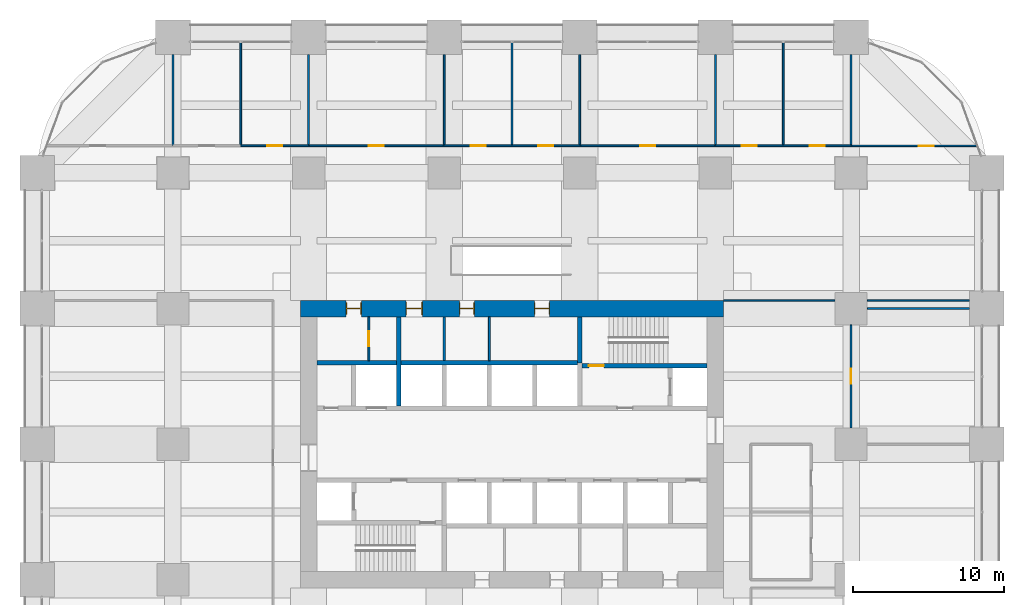
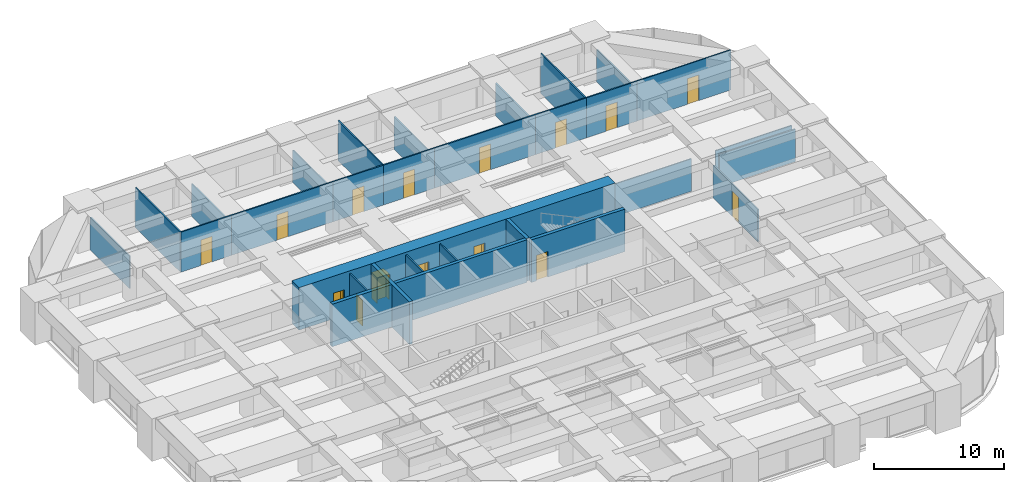
# One storey, part 41 of 44: 29 walls, 15 doors, 15 openings.
"""IFC4 building model written with IfcOpenShell, lengths in metres."""

from ifc_helpers import new_model, si_unit, direction, frame, frame_2d, origin, place, context, subcontext, project, spatial, rectangle, extrude, material, layer, layer_set, type_object, element, fill, save


model = new_model("IFC4")

# Units and contexts
model_context = context("Model", 3, precision=1e-05, world=origin(), true_north=direction((0.0, 1.0)))
body_context = subcontext(model_context, "Body", "Model", "MODEL_VIEW")
ifc_project = project(units=[si_unit("LENGTHUNIT", "METRE"), si_unit("AREAUNIT", "SQUARE_METRE"), si_unit("VOLUMEUNIT", "CUBIC_METRE"), si_unit("PLANEANGLEUNIT", "RADIAN"), si_unit("MASSUNIT", "GRAM", prefix="KILO")], contexts=[model_context])

# Site, building, storey
site_placement = place(None, origin())
site = spatial("IfcSite", under=ifc_project, at=site_placement, CompositionType="ELEMENT")
building_placement = place(site_placement, origin())
building = spatial("IfcBuilding", under=site, at=building_placement, Name="Zorevar Civic Tower", CompositionType="ELEMENT")
storey_placement = place(building_placement, frame((0.0, 0.0, 63.800048828125)))
storey = spatial("IfcBuildingStorey", under=building, at=storey_placement, Name="L15", CompositionType="ELEMENT", Elevation=63.800048828125)

# Wall, openings, doors
ifc_material_1 = material(Name="Concrete C50/60", Category="concrete")
ifc_layer_1 = layer(ifc_material_1, 1.10009765625)
ifc_layer_set_1 = layer_set([ifc_layer_1], Name="Core wall 1100")
wall_type_1 = type_object("IfcWallType", Name="Core wall 1100", PredefinedType="SHEAR", material=ifc_layer_set_1)
wall_1_placement = place(storey_placement, frame((45.550048828125, 36.0, 0.0), z_axis=(0.0, 0.0, 1.0), x_axis=(-1.0, 0.0, 0.0)))
wall_1 = element("IfcWall", 1, at=wall_1_placement, inside=storey, type_object=wall_type_1, Name="Core wall N L15", PredefinedType="SHEAR", context=body_context, shape_type="SweptSolid", body=[
    extrude(rectangle(XDim=28.10009765625, YDim=1.10009765625, at=frame_2d((14.050048828125, 0.0))), origin(), (0.0, 0.0, 1.0), 4.0),
])
opening_1_placement = place(wall_1_placement, frame((11.550048828125, 0.0, 0.0)))
opening_1 = element("IfcOpeningElement", 2, at=opening_1_placement, cuts=wall_1, Name="Opening L15.07", PredefinedType="OPENING", context=body_context, shape_type="SweptSolid", body=[
    extrude(rectangle(XDim=1.0, YDim=2.39990234375, at=frame_2d((0.5, 1.199951171875))), frame((0.0, 0.56005859375, 0.0), z_axis=(0.0, -1.0, 0.0), x_axis=(1.0, 0.0, 0.0)), (0.0, 0.0, 1.0), 1.1201171875),
])
opening_2_placement = place(wall_1_placement, frame((16.550048828125, 0.0, 0.0)))
opening_2 = element("IfcOpeningElement", 3, at=opening_2_placement, cuts=wall_1, Name="Opening L15.08", PredefinedType="OPENING", context=body_context, shape_type="SweptSolid", body=[
    extrude(rectangle(XDim=1.0, YDim=2.39990234375, at=frame_2d((0.5, 1.199951171875))), frame((0.0, 0.56005859375, 0.0), z_axis=(0.0, -1.0, 0.0), x_axis=(1.0, 0.0, 0.0)), (0.0, 0.0, 1.0), 1.1201171875),
])
opening_3_placement = place(wall_1_placement, frame((20.0, 0.0, 0.0)))
opening_3 = element("IfcOpeningElement", 4, at=opening_3_placement, cuts=wall_1, Name="Opening L15.09", PredefinedType="OPENING", context=body_context, shape_type="SweptSolid", body=[
    extrude(rectangle(XDim=1.10009765625, YDim=2.39990234375, at=frame_2d((0.550048828125, 1.199951171875))), frame((0.0, 0.56005859375, 0.0), z_axis=(0.0, -1.0, 0.0), x_axis=(1.0, 0.0, 0.0)), (0.0, 0.0, 1.0), 1.1201171875),
])
opening_4_placement = place(wall_1_placement, frame((24.050048828125, 0.0, 0.0)))
opening_4 = element("IfcOpeningElement", 5, at=opening_4_placement, cuts=wall_1, Name="Opening L15.10", PredefinedType="OPENING", context=body_context, shape_type="SweptSolid", body=[
    extrude(rectangle(XDim=1.0, YDim=2.39990234375, at=frame_2d((0.5, 1.199951171875))), frame((0.0, 0.56005859375, 0.0), z_axis=(0.0, -1.0, 0.0), x_axis=(1.0, 0.0, 0.0)), (0.0, 0.0, 1.0), 1.1201171875),
])
ifc_material_2 = material(Name="Timber door set", Category="wood")
door_type_1 = type_object("IfcDoorType", Name="Door D1 1000x2400", OperationType="SINGLE_SWING_LEFT", PredefinedType="DOOR", material=ifc_material_2)
door_1_placement = place(opening_1_placement, origin())
door_1 = element("IfcDoor", 6, at=door_1_placement, inside=storey, type_object=door_type_1, Name="Door L15 06", OperationType="SINGLE_SWING_RIGHT", OverallHeight=2.39990234375, OverallWidth=1.0, PredefinedType="DOOR", context=body_context, shape_type="SweptSolid", body=[
    extrude(rectangle(XDim=1.0, YDim=2.39990234375, at=frame_2d((0.5, 1.199951171875))), frame((0.0, 0.02490234375, 0.0), z_axis=(0.0, -1.0, 0.0), x_axis=(1.0, 0.0, 0.0)), (0.0, 0.0, 1.0), 0.050048828125),
    extrude(rectangle(XDim=0.04, YDim=2.39990234375, at=frame_2d((0.02001953125, 1.199951171875))), frame((0.0, 0.39990234375, 0.0), z_axis=(0.0, -1.0, 0.0), x_axis=(1.0, 0.0, 0.0)), (0.0, 0.0, 1.0), 0.800048828125),
    extrude(rectangle(XDim=0.04, YDim=2.39990234375, at=frame_2d((0.97998046875, 1.199951171875))), frame((0.0, 0.39990234375, 0.0), z_axis=(0.0, -1.0, 0.0), x_axis=(1.0, 0.0, 0.0)), (0.0, 0.0, 1.0), 0.800048828125),
    extrude(rectangle(XDim=1.0, YDim=0.04, at=frame_2d((0.5, 2.3798828125))), frame((0.0, 0.39990234375, 0.0), z_axis=(0.0, -1.0, 0.0), x_axis=(1.0, 0.0, 0.0)), (0.0, 0.0, 1.0), 0.800048828125),
])
fill(opening_1, door_1)
door_2_placement = place(opening_2_placement, origin())
door_2 = element("IfcDoor", 7, at=door_2_placement, inside=storey, type_object=door_type_1, Name="Door L15 07", OperationType="SINGLE_SWING_LEFT", OverallHeight=2.39990234375, OverallWidth=1.0, PredefinedType="DOOR", context=body_context, shape_type="SweptSolid", body=[
    extrude(rectangle(XDim=1.0, YDim=2.39990234375, at=frame_2d((0.5, 1.199951171875))), frame((0.0, 0.02490234375, 0.0), z_axis=(0.0, -1.0, 0.0), x_axis=(1.0, 0.0, 0.0)), (0.0, 0.0, 1.0), 0.050048828125),
    extrude(rectangle(XDim=0.04, YDim=2.39990234375, at=frame_2d((0.02001953125, 1.199951171875))), frame((0.0, 0.39990234375, 0.0), z_axis=(0.0, -1.0, 0.0), x_axis=(1.0, 0.0, 0.0)), (0.0, 0.0, 1.0), 0.800048828125),
    extrude(rectangle(XDim=0.04, YDim=2.39990234375, at=frame_2d((0.97998046875, 1.199951171875))), frame((0.0, 0.39990234375, 0.0), z_axis=(0.0, -1.0, 0.0), x_axis=(1.0, 0.0, 0.0)), (0.0, 0.0, 1.0), 0.800048828125),
    extrude(rectangle(XDim=1.0, YDim=0.04, at=frame_2d((0.5, 2.3798828125))), frame((0.0, 0.39990234375, 0.0), z_axis=(0.0, -1.0, 0.0), x_axis=(1.0, 0.0, 0.0)), (0.0, 0.0, 1.0), 0.800048828125),
])
fill(opening_2, door_2)
door_3_placement = place(opening_4_placement, origin())
door_3 = element("IfcDoor", 8, at=door_3_placement, inside=storey, type_object=door_type_1, Name="Door L15 09", OperationType="SINGLE_SWING_LEFT", OverallHeight=2.39990234375, OverallWidth=1.0, PredefinedType="DOOR", context=body_context, shape_type="SweptSolid", body=[
    extrude(rectangle(XDim=1.0, YDim=2.39990234375, at=frame_2d((0.5, 1.199951171875))), frame((0.0, 0.02490234375, 0.0), z_axis=(0.0, -1.0, 0.0), x_axis=(1.0, 0.0, 0.0)), (0.0, 0.0, 1.0), 0.050048828125),
    extrude(rectangle(XDim=0.04, YDim=2.39990234375, at=frame_2d((0.02001953125, 1.199951171875))), frame((0.0, 0.39990234375, 0.0), z_axis=(0.0, -1.0, 0.0), x_axis=(1.0, 0.0, 0.0)), (0.0, 0.0, 1.0), 0.800048828125),
    extrude(rectangle(XDim=0.04, YDim=2.39990234375, at=frame_2d((0.97998046875, 1.199951171875))), frame((0.0, 0.39990234375, 0.0), z_axis=(0.0, -1.0, 0.0), x_axis=(1.0, 0.0, 0.0)), (0.0, 0.0, 1.0), 0.800048828125),
    extrude(rectangle(XDim=1.0, YDim=0.04, at=frame_2d((0.5, 2.3798828125))), frame((0.0, 0.39990234375, 0.0), z_axis=(0.0, -1.0, 0.0), x_axis=(1.0, 0.0, 0.0)), (0.0, 0.0, 1.0), 0.800048828125),
])
fill(opening_4, door_3)
ifc_material_3 = material(Name="Timber door set", Category="wood")
door_type_2 = type_object("IfcDoorType", Name="Door D5 1100x2400", OperationType="SINGLE_SWING_LEFT", PredefinedType="DOOR", material=ifc_material_3)
door_4_placement = place(opening_3_placement, origin())
door_4 = element("IfcDoor", 9, at=door_4_placement, inside=storey, type_object=door_type_2, Name="Door L15 08", OperationType="SINGLE_SWING_LEFT", OverallHeight=2.39990234375, OverallWidth=1.10009765625, PredefinedType="DOOR", context=body_context, shape_type="SweptSolid", body=[
    extrude(rectangle(XDim=1.10009765625, YDim=2.39990234375, at=frame_2d((0.550048828125, 1.199951171875))), frame((0.0, 0.02490234375, 0.0), z_axis=(0.0, -1.0, 0.0), x_axis=(1.0, 0.0, 0.0)), (0.0, 0.0, 1.0), 0.050048828125),
    extrude(rectangle(XDim=0.04, YDim=2.39990234375, at=frame_2d((0.02001953125, 1.199951171875))), frame((0.0, 0.43994140625, 0.0), z_axis=(0.0, -1.0, 0.0), x_axis=(1.0, 0.0, 0.0)), (0.0, 0.0, 1.0), 0.880126953125),
    extrude(rectangle(XDim=0.04, YDim=2.39990234375, at=frame_2d((1.080078125, 1.199951171875))), frame((0.0, 0.43994140625, 0.0), z_axis=(0.0, -1.0, 0.0), x_axis=(1.0, 0.0, 0.0)), (0.0, 0.0, 1.0), 0.880126953125),
    extrude(rectangle(XDim=1.10009765625, YDim=0.04, at=frame_2d((0.550048828125, 2.3798828125))), frame((0.0, 0.43994140625, 0.0), z_axis=(0.0, -1.0, 0.0), x_axis=(1.0, 0.0, 0.0)), (0.0, 0.0, 1.0), 0.880126953125),
])
fill(opening_3, door_4)

# Walls
ifc_material_4 = material(Name="Laminated glass in black aluminium frame", Category="aluminium")
ifc_layer_2 = layer(ifc_material_4, 0.10009765625)
ifc_layer_set_2 = layer_set([ifc_layer_2], Name="Glazed partition 100")
wall_type_2 = type_object("IfcWallType", Name="Glazed partition 100", PredefinedType="PARTITIONING", material=ifc_layer_set_2)
wall_2_placement = place(storey_placement, frame((45.550048828125, 36.550048828125, 0.0), z_axis=(0.0, 0.0, 1.0), x_axis=(1.0, 0.0, 0.0)))
element("IfcWall", 10, at=wall_2_placement, inside=storey, type_object=wall_type_2, Name="Glazed partition 100 L15", PredefinedType="PARTITIONING", context=body_context, shape_type="SweptSolid", body=[
    extrude(rectangle(XDim=7.375, YDim=0.10009765625, at=frame_2d((3.6875, 0.0))), origin(), (0.0, 0.0, 1.0), 3.050048828125),
])
wall_3_placement = place(storey_placement, frame((55.074951171875, 36.550048828125, 0.0), z_axis=(0.0, 0.0, 1.0), x_axis=(1.0, 0.0, 0.0)))
element("IfcWall", 11, at=wall_3_placement, inside=storey, type_object=wall_type_2, Name="Glazed partition 100 L15", PredefinedType="PARTITIONING", context=body_context, shape_type="SweptSolid", body=[
    extrude(rectangle(XDim=6.775146484375, YDim=0.10009765625, at=frame_2d((3.3876953125, 0.0))), origin(), (0.0, 0.0, 1.0), 3.050048828125),
])

# Wall, opening, door
wall_4_placement = place(storey_placement, frame((54.0, 46.800048828125, 0.0), z_axis=(0.0, 0.0, 1.0), x_axis=(1.0, 0.0, 0.0)))
wall_4 = element("IfcWall", 12, at=wall_4_placement, inside=storey, type_object=wall_type_2, Name="Glazed partition 100 L15", PredefinedType="PARTITIONING", context=body_context, shape_type="SweptSolid", body=[
    extrude(rectangle(XDim=8.350830078125, YDim=0.10009765625, at=frame_2d((4.17529296875, 0.0))), origin(), (0.0, 0.0, 1.0), 3.75),
])
opening_5_placement = place(wall_4_placement, frame((4.5, 0.0, 0.0)))
opening_5 = element("IfcOpeningElement", 13, at=opening_5_placement, cuts=wall_4, Name="Opening L15.31", PredefinedType="OPENING", context=body_context, shape_type="SweptSolid", body=[
    extrude(rectangle(XDim=1.0, YDim=2.39990234375, at=frame_2d((0.5, 1.199951171875))), frame((0.0, 0.06005859375, 0.0), z_axis=(0.0, -1.0, 0.0), x_axis=(1.0, 0.0, 0.0)), (0.0, 0.0, 1.0), 0.1201171875),
])
ifc_material_5 = material(Name="Timber door set", Category="wood")
door_type_3 = type_object("IfcDoorType", Name="Glazed door GD1 1000x2400", OperationType="SINGLE_SWING_LEFT", PredefinedType="DOOR", material=ifc_material_5)
door_5_placement = place(opening_5_placement, origin())
door_5 = element("IfcDoor", 14, at=door_5_placement, inside=storey, type_object=door_type_3, Name="Door L15 D1", OperationType="SINGLE_SWING_RIGHT", OverallHeight=2.39990234375, OverallWidth=1.0, PredefinedType="DOOR", context=body_context, shape_type="SweptSolid", body=[
    extrude(rectangle(XDim=1.0, YDim=2.39990234375, at=frame_2d((0.5, 1.199951171875))), frame((0.0, 0.02001953125, 0.0), z_axis=(0.0, -1.0, 0.0), x_axis=(1.0, 0.0, 0.0)), (0.0, 0.0, 1.0), 0.0400390625),
])
fill(opening_5, door_5)

ifc_material_6 = material(Name="Concrete C40/50", Category="concrete")
ifc_layer_3 = layer(ifc_material_6, 0.300048828125)
ifc_layer_set_3 = layer_set([ifc_layer_3], Name="Inner core wall 300")
wall_type_3 = type_object("IfcWallType", Name="Inner core wall 300", PredefinedType="SHEAR", material=ifc_layer_set_3)
wall_5_placement = place(storey_placement, frame((36.14990234375, 32.199951171875, 0.0), z_axis=(0.0, 0.0, 1.0), x_axis=(1.0, 0.0, 0.0)))
wall_5 = element("IfcWall", 15, at=wall_5_placement, inside=storey, type_object=wall_type_3, Name="Inner core wall N00 L15", PredefinedType="SHEAR", context=body_context, shape_type="SweptSolid", body=[
    extrude(rectangle(XDim=8.300048828125, YDim=0.300048828125, at=frame_2d((4.14990234375, 0.0))), origin(), (0.0, 0.0, 1.0), 4.0),
])
opening_6_placement = place(wall_5_placement, frame((0.449951171875, 0.0, 0.0)))
opening_6 = element("IfcOpeningElement", 16, at=opening_6_placement, cuts=wall_5, Name="Opening L15.12", PredefinedType="OPENING", context=body_context, shape_type="SweptSolid", body=[
    extrude(rectangle(XDim=1.0, YDim=2.39990234375, at=frame_2d((0.5, 1.199951171875))), frame((0.0, 0.159912109375, 0.0), z_axis=(0.0, -1.0, 0.0), x_axis=(1.0, 0.0, 0.0)), (0.0, 0.0, 1.0), 0.320068359375),
])
ifc_material_7 = material(Name="Steel door set", Category="steel")
door_type_4 = type_object("IfcDoorType", Name="Fire door FD1 1000x2400", OperationType="SINGLE_SWING_LEFT", PredefinedType="DOOR", material=ifc_material_7)
door_6_placement = place(opening_6_placement, origin())
door_6 = element("IfcDoor", 17, at=door_6_placement, inside=storey, type_object=door_type_4, Name="Door L15 11", OperationType="SINGLE_SWING_RIGHT", OverallHeight=2.39990234375, OverallWidth=1.0, PredefinedType="DOOR", context=body_context, shape_type="SweptSolid", body=[
    extrude(rectangle(XDim=1.0, YDim=2.39990234375, at=frame_2d((0.5, 1.199951171875))), frame((0.0, 0.030029296875, 0.0), z_axis=(0.0, -1.0, 0.0), x_axis=(1.0, 0.0, 0.0)), (0.0, 0.0, 1.0), 0.06005859375),
])
fill(opening_6, door_6)

# Walls
wall_6_placement = place(storey_placement, frame((36.0, 32.39990234375, 0.0), z_axis=(0.0, 0.0, 1.0), x_axis=(0.0, 1.0, 0.0)))
element("IfcWall", 18, at=wall_6_placement, inside=storey, type_object=wall_type_3, Name="Inner core wall N01 L15", PredefinedType="SHEAR", context=body_context, shape_type="SweptSolid", body=[
    extrude(rectangle(XDim=3.050048828125, YDim=0.300048828125, at=frame_2d((1.52490234375, 0.0))), origin(), (0.0, 0.0, 1.0), 4.0),
])
wall_7_placement = place(storey_placement, frame((18.550048828125, 32.39990234375, 0.0), z_axis=(0.0, 0.0, 1.0), x_axis=(1.0, 0.0, 0.0)))
element("IfcWall", 19, at=wall_7_placement, inside=storey, type_object=wall_type_3, Name="Inner core wall N04 L15", PredefinedType="SHEAR", context=body_context, shape_type="SweptSolid", body=[
    extrude(rectangle(XDim=17.300048828125, YDim=0.300048828125, at=frame_2d((8.64990234375, 0.0))), origin(), (0.0, 0.0, 1.0), 4.0),
])
wall_8_placement = place(storey_placement, frame((24.0, 29.550048828125, 0.0), z_axis=(0.0, 0.0, 1.0), x_axis=(0.0, 1.0, 0.0)))
element("IfcWall", 20, at=wall_8_placement, inside=storey, type_object=wall_type_3, Name="Inner core wall N08 L15", PredefinedType="SHEAR", context=body_context, shape_type="SweptSolid", body=[
    extrude(rectangle(XDim=5.89990234375, YDim=0.300048828125, at=frame_2d((2.949951171875, 0.0))), origin(), (0.0, 0.0, 1.0), 4.0),
])
ifc_material_8 = material(Name="Gypsum board on steel studs", Category="steel")
ifc_layer_4 = layer(ifc_material_8, 0.1201171875)
ifc_layer_set_4 = layer_set([ifc_layer_4], Name="Partition 120")
wall_type_4 = type_object("IfcWallType", Name="Partition 120", PredefinedType="PARTITIONING", material=ifc_layer_set_4)
wall_9_placement = place(storey_placement, frame((55.074951171875, 36.0, 0.0), z_axis=(0.0, 0.0, 1.0), x_axis=(1.0, 0.0, 0.0)))
element("IfcWall", 21, at=wall_9_placement, inside=storey, type_object=wall_type_4, Name="Partition 120 L15", PredefinedType="PARTITIONING", context=body_context, shape_type="SweptSolid", body=[
    extrude(rectangle(XDim=6.775146484375, YDim=0.1201171875, at=frame_2d((3.3876953125, 0.0))), origin(), (0.0, 0.0, 1.0), 3.050048828125),
])

# Wall, opening, door
wall_10_placement = place(storey_placement, frame((13.5, 46.800048828125, 0.0), z_axis=(0.0, 0.0, 1.0), x_axis=(1.0, 0.0, 0.0)))
wall_10 = element("IfcWall", 22, at=wall_10_placement, inside=storey, type_object=wall_type_4, Name="Partition 120 L15", PredefinedType="PARTITIONING", context=body_context, shape_type="SweptSolid", body=[
    extrude(rectangle(XDim=4.5, YDim=0.1201171875, at=frame_2d((2.25, 0.0))), origin(), (0.0, 0.0, 1.0), 3.75),
])
opening_7_placement = place(wall_10_placement, frame((1.75, 0.0, 0.0)))
opening_7 = element("IfcOpeningElement", 23, at=opening_7_placement, cuts=wall_10, Name="Opening L15.23", PredefinedType="OPENING", context=body_context, shape_type="SweptSolid", body=[
    extrude(rectangle(XDim=1.0, YDim=2.39990234375, at=frame_2d((0.5, 1.199951171875))), frame((0.0, 0.070068359375, 0.0), z_axis=(0.0, -1.0, 0.0), x_axis=(1.0, 0.0, 0.0)), (0.0, 0.0, 1.0), 0.14013671875),
])
door_7_placement = place(opening_7_placement, origin())
door_7 = element("IfcDoor", 24, at=door_7_placement, inside=storey, type_object=door_type_1, Name="Door L15 D1", OperationType="SINGLE_SWING_LEFT", OverallHeight=2.39990234375, OverallWidth=1.0, PredefinedType="DOOR", context=body_context, shape_type="SweptSolid", body=[
    extrude(rectangle(XDim=1.0, YDim=2.39990234375, at=frame_2d((0.5, 1.199951171875))), frame((0.0, 0.02490234375, 0.0), z_axis=(0.0, -1.0, 0.0), x_axis=(1.0, 0.0, 0.0)), (0.0, 0.0, 1.0), 0.050048828125),
])
fill(opening_7, door_7)

wall_11_placement = place(storey_placement, frame((18.0, 46.800048828125, 0.0), z_axis=(0.0, 0.0, 1.0), x_axis=(1.0, 0.0, 0.0)))
wall_11 = element("IfcWall", 25, at=wall_11_placement, inside=storey, type_object=wall_type_4, Name="Partition 120 L15", PredefinedType="PARTITIONING", context=body_context, shape_type="SweptSolid", body=[
    extrude(rectangle(XDim=9.0, YDim=0.1201171875, at=frame_2d((4.5, 0.0))), origin(), (0.0, 0.0, 1.0), 3.75),
])
opening_8_placement = place(wall_11_placement, frame((4.0, 0.0, 0.0)))
opening_8 = element("IfcOpeningElement", 26, at=opening_8_placement, cuts=wall_11, Name="Opening L15.24", PredefinedType="OPENING", context=body_context, shape_type="SweptSolid", body=[
    extrude(rectangle(XDim=1.0, YDim=2.39990234375, at=frame_2d((0.5, 1.199951171875))), frame((0.0, 0.070068359375, 0.0), z_axis=(0.0, -1.0, 0.0), x_axis=(1.0, 0.0, 0.0)), (0.0, 0.0, 1.0), 0.14013671875),
])
door_8_placement = place(opening_8_placement, origin())
door_8 = element("IfcDoor", 27, at=door_8_placement, inside=storey, type_object=door_type_1, Name="Door L15 D1", OperationType="SINGLE_SWING_LEFT", OverallHeight=2.39990234375, OverallWidth=1.0, PredefinedType="DOOR", context=body_context, shape_type="SweptSolid", body=[
    extrude(rectangle(XDim=1.0, YDim=2.39990234375, at=frame_2d((0.5, 1.199951171875))), frame((0.0, 0.02490234375, 0.0), z_axis=(0.0, -1.0, 0.0), x_axis=(1.0, 0.0, 0.0)), (0.0, 0.0, 1.0), 0.050048828125),
])
fill(opening_8, door_8)

wall_12_placement = place(storey_placement, frame((27.0, 46.800048828125, 0.0), z_axis=(0.0, 0.0, 1.0), x_axis=(1.0, 0.0, 0.0)))
wall_12 = element("IfcWall", 28, at=wall_12_placement, inside=storey, type_object=wall_type_4, Name="Partition 120 L15", PredefinedType="PARTITIONING", context=body_context, shape_type="SweptSolid", body=[
    extrude(rectangle(XDim=4.5, YDim=0.1201171875, at=frame_2d((2.25, 0.0))), origin(), (0.0, 0.0, 1.0), 3.75),
])
opening_9_placement = place(wall_12_placement, frame((1.75, 0.0, 0.0)))
opening_9 = element("IfcOpeningElement", 29, at=opening_9_placement, cuts=wall_12, Name="Opening L15.25", PredefinedType="OPENING", context=body_context, shape_type="SweptSolid", body=[
    extrude(rectangle(XDim=1.0, YDim=2.39990234375, at=frame_2d((0.5, 1.199951171875))), frame((0.0, 0.070068359375, 0.0), z_axis=(0.0, -1.0, 0.0), x_axis=(1.0, 0.0, 0.0)), (0.0, 0.0, 1.0), 0.14013671875),
])
door_9_placement = place(opening_9_placement, origin())
door_9 = element("IfcDoor", 30, at=door_9_placement, inside=storey, type_object=door_type_1, Name="Door L15 D1", OperationType="SINGLE_SWING_LEFT", OverallHeight=2.39990234375, OverallWidth=1.0, PredefinedType="DOOR", context=body_context, shape_type="SweptSolid", body=[
    extrude(rectangle(XDim=1.0, YDim=2.39990234375, at=frame_2d((0.5, 1.199951171875))), frame((0.0, 0.02490234375, 0.0), z_axis=(0.0, -1.0, 0.0), x_axis=(1.0, 0.0, 0.0)), (0.0, 0.0, 1.0), 0.050048828125),
])
fill(opening_9, door_9)

wall_13_placement = place(storey_placement, frame((31.5, 46.800048828125, 0.0), z_axis=(0.0, 0.0, 1.0), x_axis=(1.0, 0.0, 0.0)))
wall_13 = element("IfcWall", 31, at=wall_13_placement, inside=storey, type_object=wall_type_4, Name="Partition 120 L15", PredefinedType="PARTITIONING", context=body_context, shape_type="SweptSolid", body=[
    extrude(rectangle(XDim=4.5, YDim=0.1201171875, at=frame_2d((2.25, 0.0))), origin(), (0.0, 0.0, 1.0), 3.75),
])
opening_10_placement = place(wall_13_placement, frame((1.75, 0.0, 0.0)))
opening_10 = element("IfcOpeningElement", 32, at=opening_10_placement, cuts=wall_13, Name="Opening L15.26", PredefinedType="OPENING", context=body_context, shape_type="SweptSolid", body=[
    extrude(rectangle(XDim=1.0, YDim=2.39990234375, at=frame_2d((0.5, 1.199951171875))), frame((0.0, 0.070068359375, 0.0), z_axis=(0.0, -1.0, 0.0), x_axis=(1.0, 0.0, 0.0)), (0.0, 0.0, 1.0), 0.14013671875),
])
door_10_placement = place(opening_10_placement, origin())
door_10 = element("IfcDoor", 33, at=door_10_placement, inside=storey, type_object=door_type_1, Name="Door L15 D1", OperationType="SINGLE_SWING_RIGHT", OverallHeight=2.39990234375, OverallWidth=1.0, PredefinedType="DOOR", context=body_context, shape_type="SweptSolid", body=[
    extrude(rectangle(XDim=1.0, YDim=2.39990234375, at=frame_2d((0.5, 1.199951171875))), frame((0.0, 0.02490234375, 0.0), z_axis=(0.0, -1.0, 0.0), x_axis=(1.0, 0.0, 0.0)), (0.0, 0.0, 1.0), 0.050048828125),
])
fill(opening_10, door_10)

wall_14_placement = place(storey_placement, frame((36.0, 46.800048828125, 0.0), z_axis=(0.0, 0.0, 1.0), x_axis=(1.0, 0.0, 0.0)))
wall_14 = element("IfcWall", 34, at=wall_14_placement, inside=storey, type_object=wall_type_4, Name="Partition 120 L15", PredefinedType="PARTITIONING", context=body_context, shape_type="SweptSolid", body=[
    extrude(rectangle(XDim=9.0, YDim=0.1201171875, at=frame_2d((4.5, 0.0))), origin(), (0.0, 0.0, 1.0), 3.75),
])
opening_11_placement = place(wall_14_placement, frame((4.0, 0.0, 0.0)))
opening_11 = element("IfcOpeningElement", 35, at=opening_11_placement, cuts=wall_14, Name="Opening L15.27", PredefinedType="OPENING", context=body_context, shape_type="SweptSolid", body=[
    extrude(rectangle(XDim=1.0, YDim=2.39990234375, at=frame_2d((0.5, 1.199951171875))), frame((0.0, 0.070068359375, 0.0), z_axis=(0.0, -1.0, 0.0), x_axis=(1.0, 0.0, 0.0)), (0.0, 0.0, 1.0), 0.14013671875),
])
door_11_placement = place(opening_11_placement, origin())
door_11 = element("IfcDoor", 36, at=door_11_placement, inside=storey, type_object=door_type_1, Name="Door L15 D1", OperationType="SINGLE_SWING_RIGHT", OverallHeight=2.39990234375, OverallWidth=1.0, PredefinedType="DOOR", context=body_context, shape_type="SweptSolid", body=[
    extrude(rectangle(XDim=1.0, YDim=2.39990234375, at=frame_2d((0.5, 1.199951171875))), frame((0.0, 0.02490234375, 0.0), z_axis=(0.0, -1.0, 0.0), x_axis=(1.0, 0.0, 0.0)), (0.0, 0.0, 1.0), 0.050048828125),
])
fill(opening_11, door_11)

wall_15_placement = place(storey_placement, frame((45.0, 46.800048828125, 0.0), z_axis=(0.0, 0.0, 1.0), x_axis=(1.0, 0.0, 0.0)))
wall_15 = element("IfcWall", 37, at=wall_15_placement, inside=storey, type_object=wall_type_4, Name="Partition 120 L15", PredefinedType="PARTITIONING", context=body_context, shape_type="SweptSolid", body=[
    extrude(rectangle(XDim=4.5, YDim=0.1201171875, at=frame_2d((2.25, 0.0))), origin(), (0.0, 0.0, 1.0), 3.75),
])
opening_12_placement = place(wall_15_placement, frame((1.75, 0.0, 0.0)))
opening_12 = element("IfcOpeningElement", 38, at=opening_12_placement, cuts=wall_15, Name="Opening L15.28", PredefinedType="OPENING", context=body_context, shape_type="SweptSolid", body=[
    extrude(rectangle(XDim=1.0, YDim=2.39990234375, at=frame_2d((0.5, 1.199951171875))), frame((0.0, 0.070068359375, 0.0), z_axis=(0.0, -1.0, 0.0), x_axis=(1.0, 0.0, 0.0)), (0.0, 0.0, 1.0), 0.14013671875),
])
door_12_placement = place(opening_12_placement, origin())
door_12 = element("IfcDoor", 39, at=door_12_placement, inside=storey, type_object=door_type_1, Name="Door L15 D1", OperationType="SINGLE_SWING_RIGHT", OverallHeight=2.39990234375, OverallWidth=1.0, PredefinedType="DOOR", context=body_context, shape_type="SweptSolid", body=[
    extrude(rectangle(XDim=1.0, YDim=2.39990234375, at=frame_2d((0.5, 1.199951171875))), frame((0.0, 0.02490234375, 0.0), z_axis=(0.0, -1.0, 0.0), x_axis=(1.0, 0.0, 0.0)), (0.0, 0.0, 1.0), 0.050048828125),
])
fill(opening_12, door_12)

wall_16_placement = place(storey_placement, frame((49.5, 46.800048828125, 0.0), z_axis=(0.0, 0.0, 1.0), x_axis=(1.0, 0.0, 0.0)))
wall_16 = element("IfcWall", 40, at=wall_16_placement, inside=storey, type_object=wall_type_4, Name="Partition 120 L15", PredefinedType="PARTITIONING", context=body_context, shape_type="SweptSolid", body=[
    extrude(rectangle(XDim=4.5, YDim=0.1201171875, at=frame_2d((2.25, 0.0))), origin(), (0.0, 0.0, 1.0), 3.75),
])
opening_13_placement = place(wall_16_placement, frame((1.75, 0.0, 0.0)))
opening_13 = element("IfcOpeningElement", 41, at=opening_13_placement, cuts=wall_16, Name="Opening L15.29", PredefinedType="OPENING", context=body_context, shape_type="SweptSolid", body=[
    extrude(rectangle(XDim=1.0, YDim=2.39990234375, at=frame_2d((0.5, 1.199951171875))), frame((0.0, 0.070068359375, 0.0), z_axis=(0.0, -1.0, 0.0), x_axis=(1.0, 0.0, 0.0)), (0.0, 0.0, 1.0), 0.14013671875),
])
door_13_placement = place(opening_13_placement, origin())
door_13 = element("IfcDoor", 42, at=door_13_placement, inside=storey, type_object=door_type_1, Name="Door L15 D1", OperationType="SINGLE_SWING_RIGHT", OverallHeight=2.39990234375, OverallWidth=1.0, PredefinedType="DOOR", context=body_context, shape_type="SweptSolid", body=[
    extrude(rectangle(XDim=1.0, YDim=2.39990234375, at=frame_2d((0.5, 1.199951171875))), frame((0.0, 0.02490234375, 0.0), z_axis=(0.0, -1.0, 0.0), x_axis=(1.0, 0.0, 0.0)), (0.0, 0.0, 1.0), 0.050048828125),
])
fill(opening_13, door_13)

# Walls
wall_17_placement = place(storey_placement, frame((9.0, 46.800048828125, 0.0), z_axis=(0.0, 0.0, 1.0), x_axis=(0.0, 1.0, 0.0)))
element("IfcWall", 43, at=wall_17_placement, inside=storey, type_object=wall_type_4, Name="Partition 120 L15", PredefinedType="PARTITIONING", context=body_context, shape_type="SweptSolid", body=[
    extrude(rectangle(XDim=6.050048828125, YDim=0.1201171875, at=frame_2d((3.02490234375, 0.0))), origin(), (0.0, 0.0, 1.0), 3.050048828125),
])
wall_18_placement = place(storey_placement, frame((13.5, 46.800048828125, 0.0), z_axis=(0.0, 0.0, 1.0), x_axis=(0.0, 1.0, 0.0)))
element("IfcWall", 44, at=wall_18_placement, inside=storey, type_object=wall_type_4, Name="Partition 120 L15", PredefinedType="PARTITIONING", context=body_context, shape_type="SweptSolid", body=[
    extrude(rectangle(XDim=6.889892578125, YDim=0.1201171875, at=frame_2d((3.44482421875, 0.0))), origin(), (0.0, 0.0, 1.0), 3.75),
])
for number, where, z_axis, x_axis, name in (
    (45, (18.0, 46.800048828125, 0.0), (0.0, 0.0, 1.0), (0.0, 1.0, 0.0), "Partition 120 L15"),
    (46, (27.0, 46.800048828125, 0.0), (0.0, 0.0, 1.0), (0.0, 1.0, 0.0), "Partition 120 L15"),
):
    element("IfcWall", number, at=place(storey_placement, frame(where, z_axis=z_axis, x_axis=x_axis)), inside=storey, type_object=wall_type_4, Name=name, PredefinedType="PARTITIONING", context=body_context, shape_type="SweptSolid", body=[
        extrude(rectangle(XDim=6.050048828125, YDim=0.1201171875, at=frame_2d((3.02490234375, 0.0))), origin(), (0.0, 0.0, 1.0), 3.050048828125),
    ])
wall_19_placement = place(storey_placement, frame((31.5, 46.800048828125, 0.0), z_axis=(0.0, 0.0, 1.0), x_axis=(0.0, 1.0, 0.0)))
element("IfcWall", 47, at=wall_19_placement, inside=storey, type_object=wall_type_4, Name="Partition 120 L15", PredefinedType="PARTITIONING", context=body_context, shape_type="SweptSolid", body=[
    extrude(rectangle(XDim=6.889892578125, YDim=0.1201171875, at=frame_2d((3.44482421875, 0.0))), origin(), (0.0, 0.0, 1.0), 3.75),
])
for number, where, z_axis, x_axis, name in (
    (48, (36.0, 46.800048828125, 0.0), (0.0, 0.0, 1.0), (0.0, 1.0, 0.0), "Partition 120 L15"),
    (49, (45.0, 46.800048828125, 0.0), (0.0, 0.0, 1.0), (0.0, 1.0, 0.0), "Partition 120 L15"),
):
    element("IfcWall", number, at=place(storey_placement, frame(where, z_axis=z_axis, x_axis=x_axis)), inside=storey, type_object=wall_type_4, Name=name, PredefinedType="PARTITIONING", context=body_context, shape_type="SweptSolid", body=[
        extrude(rectangle(XDim=6.050048828125, YDim=0.1201171875, at=frame_2d((3.02490234375, 0.0))), origin(), (0.0, 0.0, 1.0), 3.050048828125),
    ])
wall_20_placement = place(storey_placement, frame((49.5, 46.800048828125, 0.0), z_axis=(0.0, 0.0, 1.0), x_axis=(0.0, 1.0, 0.0)))
element("IfcWall", 50, at=wall_20_placement, inside=storey, type_object=wall_type_4, Name="Partition 120 L15", PredefinedType="PARTITIONING", context=body_context, shape_type="SweptSolid", body=[
    extrude(rectangle(XDim=6.889892578125, YDim=0.1201171875, at=frame_2d((3.44482421875, 0.0))), origin(), (0.0, 0.0, 1.0), 3.75),
])
wall_21_placement = place(storey_placement, frame((54.0, 46.800048828125, 0.0), z_axis=(0.0, 0.0, 1.0), x_axis=(0.0, 1.0, 0.0)))
element("IfcWall", 51, at=wall_21_placement, inside=storey, type_object=wall_type_4, Name="Partition 120 L15", PredefinedType="PARTITIONING", context=body_context, shape_type="SweptSolid", body=[
    extrude(rectangle(XDim=6.050048828125, YDim=0.1201171875, at=frame_2d((3.02490234375, 0.0))), origin(), (0.0, 0.0, 1.0), 3.050048828125),
])

# Wall, opening, door
wall_22_placement = place(storey_placement, frame((54.0, 28.074951171875, 0.0), z_axis=(0.0, 0.0, 1.0), x_axis=(0.0, 1.0, 0.0)))
wall_22 = element("IfcWall", 52, at=wall_22_placement, inside=storey, type_object=wall_type_4, Name="Partition 120 L15", PredefinedType="PARTITIONING", context=body_context, shape_type="SweptSolid", body=[
    extrude(rectangle(XDim=6.85009765625, YDim=0.1201171875, at=frame_2d((3.425048828125, 0.0))), origin(), (0.0, 0.0, 1.0), 3.050048828125),
])
opening_14_placement = place(wall_22_placement, frame((2.925048828125, 0.0, 0.0)))
opening_14 = element("IfcOpeningElement", 53, at=opening_14_placement, cuts=wall_22, Name="Opening L15.36", PredefinedType="OPENING", context=body_context, shape_type="SweptSolid", body=[
    extrude(rectangle(XDim=1.0, YDim=2.39990234375, at=frame_2d((0.5, 1.199951171875))), frame((0.0, 0.070068359375, 0.0), z_axis=(0.0, -1.0, 0.0), x_axis=(1.0, 0.0, 0.0)), (0.0, 0.0, 1.0), 0.14013671875),
])
door_14_placement = place(opening_14_placement, origin())
door_14 = element("IfcDoor", 54, at=door_14_placement, inside=storey, type_object=door_type_1, Name="Door L15 D1", OperationType="SINGLE_SWING_RIGHT", OverallHeight=2.39990234375, OverallWidth=1.0, PredefinedType="DOOR", context=body_context, shape_type="SweptSolid", body=[
    extrude(rectangle(XDim=1.0, YDim=2.39990234375, at=frame_2d((0.5, 1.199951171875))), frame((0.0, 0.02490234375, 0.0), z_axis=(0.0, -1.0, 0.0), x_axis=(1.0, 0.0, 0.0)), (0.0, 0.0, 1.0), 0.050048828125),
])
fill(opening_14, door_14)

# Wall
wall_23_placement = place(storey_placement, frame((30.0, 32.550048828125, 0.0), z_axis=(0.0, 0.0, 1.0), x_axis=(0.0, 1.0, 0.0)))
element("IfcWall", 55, at=wall_23_placement, inside=storey, type_object=wall_type_4, Name="Partition L15", PredefinedType="PARTITIONING", context=body_context, shape_type="SweptSolid", body=[
    extrude(rectangle(XDim=2.89990234375, YDim=0.1201171875, at=frame_2d((1.449951171875, 0.0))), origin(), (0.0, 0.0, 1.0), 3.75),
])

# Wall, opening, door
wall_24_placement = place(storey_placement, frame((22.0, 32.550048828125, 0.0), z_axis=(0.0, 0.0, 1.0), x_axis=(0.0, 1.0, 0.0)))
wall_24 = element("IfcWall", 56, at=wall_24_placement, inside=storey, type_object=wall_type_4, Name="Partition L15", PredefinedType="PARTITIONING", context=body_context, shape_type="SweptSolid", body=[
    extrude(rectangle(XDim=2.89990234375, YDim=0.1201171875, at=frame_2d((1.449951171875, 0.0))), origin(), (0.0, 0.0, 1.0), 3.75),
])
opening_15_placement = place(wall_24_placement, frame((0.949951171875, 0.0, 0.0)))
opening_15 = element("IfcOpeningElement", 57, at=opening_15_placement, cuts=wall_24, Name="Opening L15.37", PredefinedType="OPENING", context=body_context, shape_type="SweptSolid", body=[
    extrude(rectangle(XDim=1.0, YDim=2.39990234375, at=frame_2d((0.5, 1.199951171875))), frame((0.0, 0.070068359375, 0.0), z_axis=(0.0, -1.0, 0.0), x_axis=(1.0, 0.0, 0.0)), (0.0, 0.0, 1.0), 0.14013671875),
])
door_15_placement = place(opening_15_placement, origin())
door_15 = element("IfcDoor", 58, at=door_15_placement, inside=storey, type_object=door_type_4, Name="Door L15 EN", OperationType="SINGLE_SWING_LEFT", OverallHeight=2.39990234375, OverallWidth=1.0, PredefinedType="DOOR", context=body_context, shape_type="SweptSolid", body=[
    extrude(rectangle(XDim=1.0, YDim=2.39990234375, at=frame_2d((0.5, 1.199951171875))), frame((0.0, 0.030029296875, 0.0), z_axis=(0.0, -1.0, 0.0), x_axis=(1.0, 0.0, 0.0)), (0.0, 0.0, 1.0), 0.06005859375),
])
fill(opening_15, door_15)

# Wall
ifc_material_9 = material(Name="Gypsum board on steel studs, moisture resistant", Category="steel")
ifc_layer_5 = layer(ifc_material_9, 0.14990234375)
ifc_layer_set_5 = layer_set([ifc_layer_5], Name="WC partition 150")
wall_type_5 = type_object("IfcWallType", Name="WC partition 150", PredefinedType="PARTITIONING", material=ifc_layer_set_5)
wall_25_placement = place(storey_placement, frame((27.0, 32.550048828125, 0.0), z_axis=(0.0, 0.0, 1.0), x_axis=(0.0, 1.0, 0.0)))
element("IfcWall", 59, at=wall_25_placement, inside=storey, type_object=wall_type_5, Name="WC partition L15", PredefinedType="PARTITIONING", context=body_context, shape_type="SweptSolid", body=[
    extrude(rectangle(XDim=2.89990234375, YDim=0.14990234375, at=frame_2d((1.449951171875, 0.0))), origin(), (0.0, 0.0, 1.0), 3.75),
])

save(model, "model.ifc")
